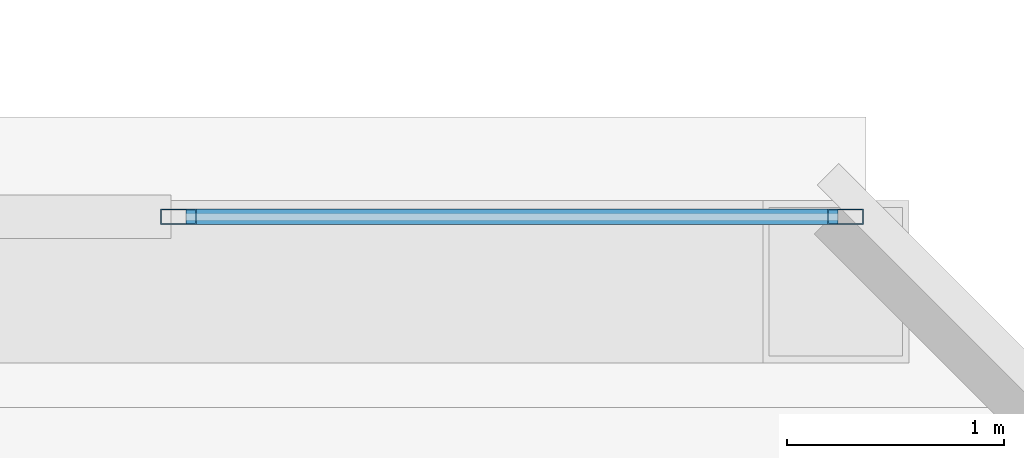
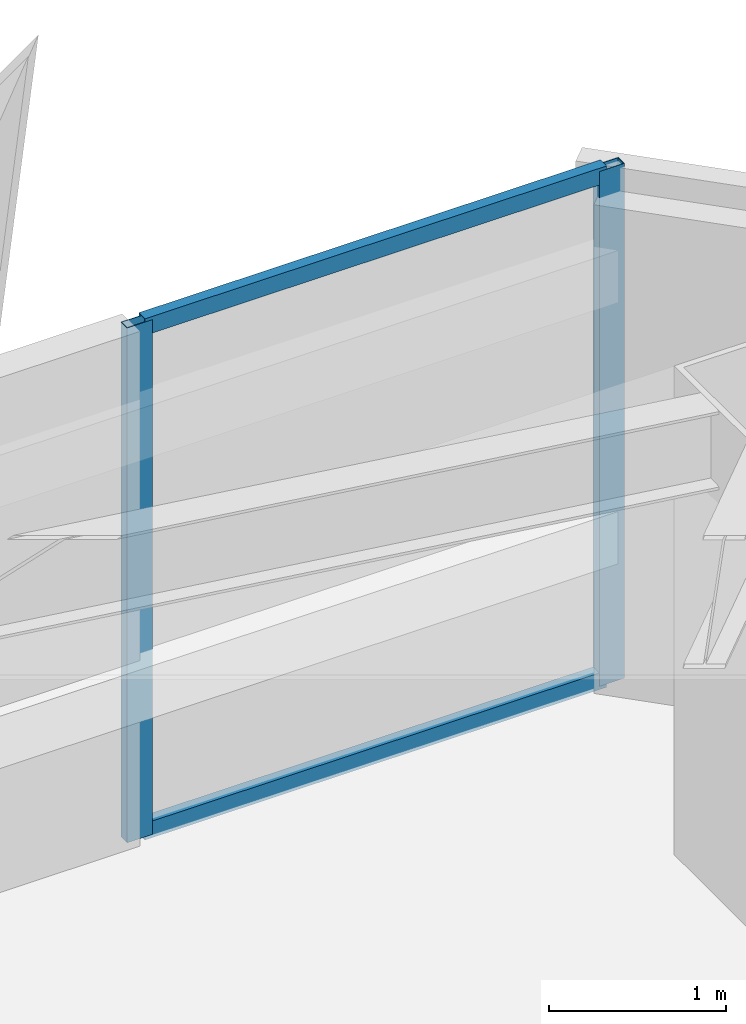
# One storey, part 25 of 56: 4 members, 1 element without a shape of its own.
"""IFC4 building model written with IfcOpenShell, lengths in metres."""

from ifc_helpers import new_model, si_unit, direction, frame, origin, origin_2d, place, context, subcontext, project, spatial, hollow_rectangle, extrude, material, material_profile, profile_set, type_object, element, aggregate, save


model = new_model("IFC4")

# Units and contexts
model_context = context("Model", 3, precision=1e-05, world=origin(), true_north=direction((0.0, 1.0)))
body_context = subcontext(model_context, "Body", "Model", "MODEL_VIEW")
ifc_project = project(units=[si_unit("LENGTHUNIT", "METRE"), si_unit("AREAUNIT", "SQUARE_METRE"), si_unit("VOLUMEUNIT", "CUBIC_METRE"), si_unit("PLANEANGLEUNIT", "RADIAN"), si_unit("MASSUNIT", "GRAM", prefix="KILO")], contexts=[model_context])

# Site, building, storey
site_placement = place(None, origin())
site = spatial("IfcSite", under=ifc_project, at=site_placement, CompositionType="ELEMENT")
building_placement = place(site_placement, origin())
building = spatial("IfcBuilding", under=site, at=building_placement, Name="Tashvorn Skyway Center", CompositionType="ELEMENT")
storey_placement = place(building_placement, frame((0.0, 0.0, 218.39990234375)))
storey = spatial("IfcBuildingStorey", under=building, at=storey_placement, Name="L59", CompositionType="ELEMENT", Elevation=218.39990234375)

# Curtain wall, members
ifc_material = material(Name="Thermally broken bronze-anodized aluminium 6063-T6", Category="aluminium")
curtain_wall_type = type_object("IfcCurtainWallType", Name="CW-CW-Z5", PredefinedType="NOTDEFINED", material=ifc_material)
curtain_wall_placement = place(storey_placement, origin())
curtain_wall = element("IfcCurtainWall", 1, at=curtain_wall_placement, inside=storey, type_object=curtain_wall_type, Name="Tower 1 L59 North Unitised Curtain Wall Glazing Group 3", PredefinedType="NOTDEFINED")
ifc_material_profile_1 = material_profile(ifc_material, hollow_rectangle(XDim=0.070068359375, YDim=0.1650390625, WallThickness=0.00390625, at=origin_2d()), Name="ALU-MULL-70x165")
ifc_profile_set_1 = profile_set([ifc_material_profile_1], Name="Thermally broken bronze-anodized aluminium 6063-T6")
member_type_1 = type_object("IfcMemberType", Name="CWM-CW-Z5", PredefinedType="MULLION", material=ifc_profile_set_1)
member_1_placement = place(storey_placement, frame((53.06396484375, 48.280029296875, 0.0), z_axis=(0.0, 0.0, 1.0), x_axis=(0.0, 1.0, 0.0)))
member_1 = element("IfcMember", 2, at=member_1_placement, type_object=member_type_1, Name="CW-Z5 mullion 1", PredefinedType="MULLION", context=body_context, shape_type="SweptSolid", body=[
    extrude(hollow_rectangle(XDim=0.070068359375, YDim=0.1650390625, WallThickness=0.00390625, at=origin_2d()), origin(), (0.0, 0.0, 1.0), 3.550048828125),
])
member_2_placement = place(storey_placement, frame((56.14501953125, 48.280029296875, 0.0), z_axis=(0.0, 0.0, 1.0), x_axis=(0.0, 1.0, 0.0)))
member_2 = element("IfcMember", 3, at=member_2_placement, type_object=member_type_1, Name="CW-Z5 mullion 2", PredefinedType="MULLION", context=body_context, shape_type="SweptSolid", body=[
    extrude(hollow_rectangle(XDim=0.070068359375, YDim=0.1650390625, WallThickness=0.00390625, at=origin_2d()), origin(), (0.0, 0.0, 1.0), 3.550048828125),
])
ifc_material_profile_2 = material_profile(ifc_material, hollow_rectangle(XDim=0.070068359375, YDim=0.114990234375, WallThickness=0.00390625, at=origin_2d()), Name="ALU-TRAN-70x115")
ifc_profile_set_2 = profile_set([ifc_material_profile_2], Name="Thermally broken bronze-anodized aluminium 6063-T6")
member_type_2 = type_object("IfcMemberType", Name="CWT-CW-Z5", PredefinedType="USERDEFINED", material=ifc_profile_set_2)
member_3_placement = place(storey_placement, frame((53.098876953125, 48.280029296875, 0.03515625), z_axis=(1.0, 0.0, 0.0), x_axis=(0.0, 1.0, 0.0)))
member_3 = element("IfcMember", 4, at=member_3_placement, type_object=member_type_2, Name="CW-Z5 transom 1.1", ObjectType="TRANSOM", PredefinedType="USERDEFINED", context=body_context, shape_type="SweptSolid", body=[
    extrude(hollow_rectangle(XDim=0.070068359375, YDim=0.114990234375, WallThickness=0.00390625, at=origin_2d()), origin(), (0.0, 0.0, 1.0), 3.01123046875),
])
member_4_placement = place(storey_placement, frame((53.098876953125, 48.280029296875, 3.51513671875), z_axis=(1.0, 0.0, 0.0), x_axis=(0.0, 1.0, 0.0)))
member_4 = element("IfcMember", 5, at=member_4_placement, type_object=member_type_2, Name="CW-Z5 transom 1.2", ObjectType="TRANSOM", PredefinedType="USERDEFINED", context=body_context, shape_type="SweptSolid", body=[
    extrude(hollow_rectangle(XDim=0.070068359375, YDim=0.114990234375, WallThickness=0.00390625, at=origin_2d()), origin(), (0.0, 0.0, 1.0), 3.01123046875),
])
aggregate(curtain_wall, [member_1, member_2, member_3, member_4])

save(model, "model.ifc")
